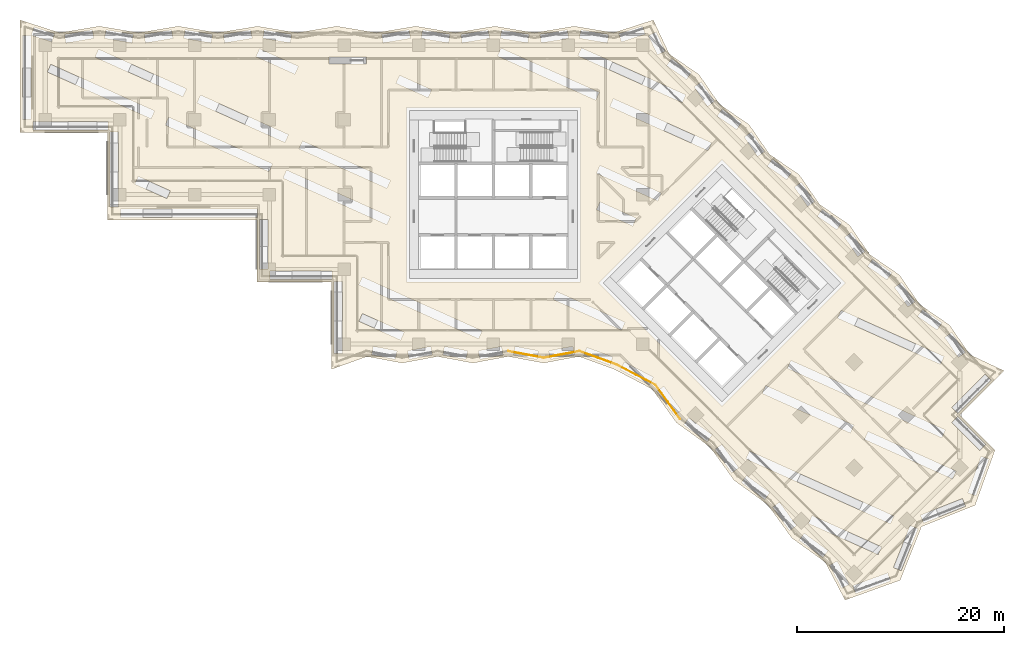
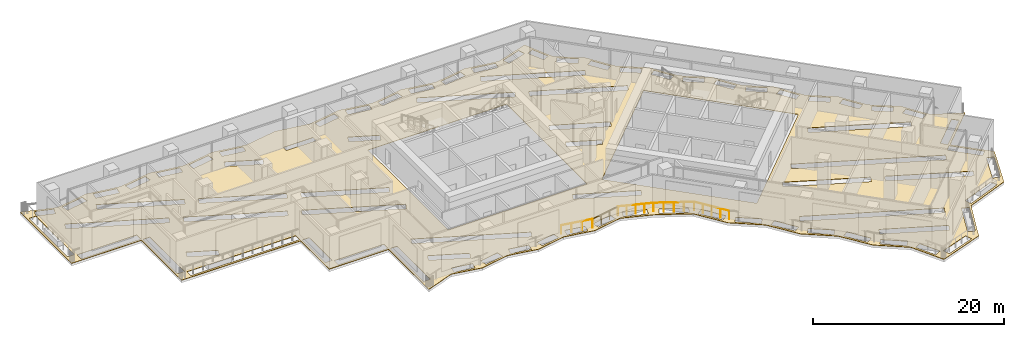
# One storey, part 19 of 24: 5 railings, 1 covering.
"""IFC4 building model written with IfcOpenShell, lengths in metres."""

from ifc_helpers import new_model, si_unit, direction, frame, origin, origin_2d, place, context, subcontext, project, spatial, polyline, circle, outline, extrude, material, layer, layer_set, type_object, element, save


model = new_model("IFC4")

# Units and contexts
model_context = context("Model", 3, precision=1e-05, world=origin(), true_north=direction((0.0, 1.0)))
body_context = subcontext(model_context, "Body", "Model", "MODEL_VIEW")
ifc_project = project(units=[si_unit("LENGTHUNIT", "METRE"), si_unit("AREAUNIT", "SQUARE_METRE"), si_unit("VOLUMEUNIT", "CUBIC_METRE"), si_unit("PLANEANGLEUNIT", "RADIAN"), si_unit("MASSUNIT", "GRAM", prefix="KILO")], contexts=[model_context])

# Site, building, storey
site_placement = place(None, origin())
site = spatial("IfcSite", under=ifc_project, at=site_placement, CompositionType="ELEMENT")
building_placement = place(site_placement, origin())
building = spatial("IfcBuilding", under=site, at=building_placement, Name="Windrow Commons", CompositionType="ELEMENT")
storey_placement = place(building_placement, frame((0.0, 0.0, 67.8)))
storey = spatial("IfcBuildingStorey", under=building, at=storey_placement, Name="L18", CompositionType="ELEMENT", Elevation=67.8)

# Railings
ifc_material_1 = material(Name="Stainless steel S316 balustrade with toughened glass infill", Category="steel")
railing_type = type_object("IfcRailingType", Name="Terrace guard 1200 podium", PredefinedType="BALUSTRADE", material=ifc_material_1)
railing_1_placement = place(storey_placement, frame((82.7932, 35.988, 0.05)))
element("IfcRailing", 1, at=railing_1_placement, inside=storey, type_object=railing_type, Name="Guard TR-L18-1.E5", PredefinedType="BALUSTRADE", context=body_context, shape_type="SweptSolid", body=[
    extrude(circle(Radius=0.025, at=origin_2d()), frame((0.0, 0.0, 1.175), z_axis=(-0.5863539347, 0.8100549755, 0.0), x_axis=(-0.8100549755, -0.5863539347, 0.0)), (0.0, 0.0, 1.0), 4.0201),
    extrude(circle(Radius=0.02, at=origin_2d()), origin(), (0.0, 0.0, 1.0), 1.15),
    extrude(circle(Radius=0.02, at=origin_2d()), frame((-0.5893, 0.8141, 0.0)), (0.0, 0.0, 1.0), 1.15),
    extrude(circle(Radius=0.02, at=origin_2d()), frame((-1.1786, 1.6283, 0.0)), (0.0, 0.0, 1.0), 1.15),
    extrude(circle(Radius=0.02, at=origin_2d()), frame((-1.7679, 2.4424, 0.0)), (0.0, 0.0, 1.0), 1.15),
    extrude(circle(Radius=0.02, at=origin_2d()), frame((-2.3572, 3.2565, 0.0)), (0.0, 0.0, 1.0), 1.15),
])
railing_2_placement = place(storey_placement, frame((80.436, 39.2445, 0.05)))
element("IfcRailing", 2, at=railing_2_placement, inside=storey, type_object=railing_type, Name="Guard TR-L18-1.E6", PredefinedType="BALUSTRADE", context=body_context, shape_type="SweptSolid", body=[
    extrude(circle(Radius=0.025, at=origin_2d()), frame((0.0, 0.0, 1.175), z_axis=(-0.8859575059, 0.4637664258, 0.0), x_axis=(-0.4637664258, -0.8859575059, 0.0)), (0.0, 0.0, 1.0), 4.2718),
    extrude(circle(Radius=0.02, at=origin_2d()), origin(), (0.0, 0.0, 1.0), 1.15),
    extrude(circle(Radius=0.02, at=origin_2d()), frame((-0.9462, 0.4953, 0.0)), (0.0, 0.0, 1.0), 1.15),
    extrude(circle(Radius=0.02, at=origin_2d()), frame((-1.8923, 0.9905, 0.0)), (0.0, 0.0, 1.0), 1.15),
    extrude(circle(Radius=0.02, at=origin_2d()), frame((-2.8385, 1.4858, 0.0)), (0.0, 0.0, 1.0), 1.15),
    extrude(circle(Radius=0.02, at=origin_2d()), frame((-3.7846, 1.9811, 0.0)), (0.0, 0.0, 1.0), 1.15),
])
railing_3_placement = place(storey_placement, frame((76.6514, 41.2256, 0.05)))
element("IfcRailing", 3, at=railing_3_placement, inside=storey, type_object=railing_type, Name="Guard TR-L18-1.E7", PredefinedType="BALUSTRADE", context=body_context, shape_type="SweptSolid", body=[
    extrude(circle(Radius=0.025, at=origin_2d()), frame((0.0, 0.0, 1.175), z_axis=(-0.9402913154, 0.3403707423, 0.0), x_axis=(-0.3403707423, -0.9402913154, 0.0)), (0.0, 0.0, 1.0), 3.7923),
    extrude(circle(Radius=0.02, at=origin_2d()), origin(), (0.0, 0.0, 1.0), 1.15),
    extrude(circle(Radius=0.02, at=origin_2d()), frame((-0.8915, 0.3227, 0.0)), (0.0, 0.0, 1.0), 1.15),
    extrude(circle(Radius=0.02, at=origin_2d()), frame((-1.7829, 0.6454, 0.0)), (0.0, 0.0, 1.0), 1.15),
    extrude(circle(Radius=0.02, at=origin_2d()), frame((-2.6744, 0.9681, 0.0)), (0.0, 0.0, 1.0), 1.15),
    extrude(circle(Radius=0.02, at=origin_2d()), frame((-3.5659, 1.2908, 0.0)), (0.0, 0.0, 1.0), 1.15),
])
railing_4_placement = place(storey_placement, frame((73.0855, 42.5164, 0.05)))
element("IfcRailing", 4, at=railing_4_placement, inside=storey, type_object=railing_type, Name="Guard TR-L18-1.E8", PredefinedType="BALUSTRADE", context=body_context, shape_type="SweptSolid", body=[
    extrude(circle(Radius=0.025, at=origin_2d()), frame((0.0, 0.0, 1.175), z_axis=(-0.9831691345, -0.1826977095, 0.0), x_axis=(0.1826977095, -0.9831691345, 0.0)), (0.0, 0.0, 1.0), 3.5074),
    extrude(circle(Radius=0.02, at=origin_2d()), origin(), (0.0, 0.0, 1.0), 1.15),
    extrude(circle(Radius=0.02, at=origin_2d()), frame((-1.1495, -0.2136, 0.0)), (0.0, 0.0, 1.0), 1.15),
    extrude(circle(Radius=0.02, at=origin_2d()), frame((-2.2989, -0.4272, 0.0)), (0.0, 0.0, 1.0), 1.15),
    extrude(circle(Radius=0.02, at=origin_2d()), frame((-3.4484, -0.6408, 0.0)), (0.0, 0.0, 1.0), 1.15),
])
railing_5_placement = place(storey_placement, frame((69.6371, 41.8756, 0.05)))
element("IfcRailing", 5, at=railing_5_placement, inside=storey, type_object=railing_type, Name="Guard TR-L18-1.E9", PredefinedType="BALUSTRADE", context=body_context, shape_type="SweptSolid", body=[
    extrude(circle(Radius=0.025, at=origin_2d()), frame((0.0, 0.0, 1.175), z_axis=(-0.9831669658, 0.1827093798, 0.0), x_axis=(-0.1827093798, -0.9831669658, 0.0)), (0.0, 0.0, 1.0), 3.4645),
    extrude(circle(Radius=0.02, at=origin_2d()), origin(), (0.0, 0.0, 1.0), 1.15),
    extrude(circle(Radius=0.02, at=origin_2d()), frame((-1.1354, 0.211, 0.0)), (0.0, 0.0, 1.0), 1.15),
    extrude(circle(Radius=0.02, at=origin_2d()), frame((-2.2708, 0.422, 0.0)), (0.0, 0.0, 1.0), 1.15),
    extrude(circle(Radius=0.02, at=origin_2d()), frame((-3.4062, 0.633, 0.0)), (0.0, 0.0, 1.0), 1.15),
])

# Covering
ifc_material_2 = material(Name="Granite paving", Category="masonry")
ifc_layer = layer(ifc_material_2, 0.05)
ifc_layer_set = layer_set([ifc_layer], Name="Terrace paving 50")
covering_type = type_object("IfcCoveringType", Name="Terrace paving 50", PredefinedType="FLOORING", material=ifc_layer_set)
covering_placement = place(storey_placement, origin())
element("IfcCovering", 6, at=covering_placement, inside=storey, type_object=covering_type, Name="Terrace paving TR-L18-1", PredefinedType="FLOORING", context=body_context, shape_type="SweptSolid", body=[
    extrude(outline(polyline([(91.2226, 27.7333), (87.9965, 30.0685), (85.6612, 33.2947), (82.4351, 35.6299), (80.0999, 38.8561), (76.4494, 40.767), (73.0432, 42.0), (69.6371, 41.367), (66.2309, 42.0), (62.8247, 41.367), (59.4185, 42.0), (56.0124, 41.367), (52.6062, 42.0), (49.2, 40.767), (49.2, 49.2), (42.0, 49.2), (42.0, 55.167), (27.6, 55.167), (27.6, 63.6), (19.167, 63.6), (19.167, 74.433), (22.9818, 73.2), (26.7966, 73.833), (30.6114, 73.2), (34.4261, 73.833), (38.2409, 73.2), (42.0557, 73.833), (45.8705, 73.2), (49.6853, 73.833), (53.5001, 73.2), (57.3149, 73.833), (61.1297, 73.2), (64.9444, 73.833), (68.7592, 73.2), (72.574, 73.833), (76.3888, 73.2), (80.2036, 74.433), (81.7486, 71.1484), (84.6089, 69.1791), (86.5783, 66.3188), (89.4385, 64.3495), (91.4079, 61.4892), (94.2681, 59.5199), (96.2375, 56.6596), (99.0978, 54.6902), (101.0671, 51.83), (103.9274, 49.8606), (105.8967, 47.0003), (108.757, 45.031), (110.7263, 42.1707), (114.0108, 40.6256), (109.747, 36.3618), (113.1411, 32.9677), (111.2266, 27.6591), (106.0595, 25.6032), (104.0036, 20.436), (98.695, 18.5216), (96.784, 22.172), (93.5578, 24.5072), (91.2226, 27.7333)]), holes=[polyline([(55.3476, 41.7346), (55.4974, 42.5408), (53.216, 42.9649), (53.0662, 42.1587), (55.3476, 41.7346)]), polyline([(52.1722, 46.1392), (51.836, 45.3912), (55.8534, 43.5856), (56.1896, 44.3336), (52.1722, 46.1392)]), polyline([(49.44, 42.2936), (50.26, 42.2936), (50.26, 49.25), (49.44, 49.25), (49.44, 42.2936)]), polyline([(43.25, 49.44), (49.25, 49.44), (49.25, 50.26), (43.25, 50.26), (43.25, 49.44)]), polyline([(42.24, 55.217), (42.24, 50.45), (43.06, 50.45), (43.06, 55.217), (42.24, 55.217)]), polyline([(42.05, 55.407), (42.05, 56.227), (28.85, 56.227), (28.85, 55.407), (42.05, 55.407)]), polyline([(44.8678, 59.9471), (44.5317, 59.1992), (54.5278, 54.7065), (54.864, 55.4544), (44.8678, 59.9471)]), polyline([(30.5722, 59.3556), (30.236, 58.6077), (33.3224, 57.2205), (33.6585, 57.9684), (30.5722, 59.3556)]), polyline([(27.84, 63.65), (27.84, 56.417), (28.66, 56.417), (28.66, 63.65), (27.84, 63.65)]), polyline([(54.864, 58.9627), (46.4032, 62.7654), (46.0671, 62.0175), (54.5278, 58.2148), (54.864, 58.9627)]), polyline([(33.5035, 65.0548), (33.1673, 64.3069), (43.1635, 59.8141), (43.4997, 60.5621), (33.5035, 65.0548)]), polyline([(27.65, 63.84), (27.65, 64.66), (20.417, 64.66), (20.417, 63.84), (27.65, 63.84)]), polyline([(36.5743, 67.183), (36.2381, 66.4351), (44.6989, 62.6324), (45.035, 63.3803), (36.5743, 67.183)]), polyline([(32.1353, 65.6697), (22.1392, 70.1625), (21.803, 69.4145), (31.7992, 64.9218), (32.1353, 65.6697)]), polyline([(58.8386, 67.7014), (55.7558, 69.087), (55.4196, 68.339), (58.5024, 66.9535), (58.8386, 67.7014)]), polyline([(19.407, 64.85), (20.227, 64.85), (20.227, 72.9398), (19.407, 72.9398), (19.407, 64.85)]), polyline([(26.7453, 71.6006), (26.4092, 70.8527), (34.8699, 67.05), (35.2061, 67.7979), (26.7453, 71.6006)]), polyline([(42.262, 71.6434), (41.9259, 70.8954), (45.6581, 69.218), (45.9943, 69.9659), (42.262, 71.6434)]), polyline([(52.5519, 70.2), (52.5519, 70.85), (48.9519, 70.85), (48.9519, 70.2), (52.5519, 70.2)]), polyline([(26.1376, 73.4804), (23.4571, 73.0356), (23.5913, 72.2266), (26.2718, 72.6714), (26.1376, 73.4804)]), polyline([(54.0249, 73.0438), (54.1591, 72.2348), (56.7901, 72.6714), (56.6559, 73.4804), (54.0249, 73.0438)]), polyline([(38.7657, 73.0438), (38.8999, 72.2348), (41.5309, 72.6714), (41.3967, 73.4804), (38.7657, 73.0438)]), polyline([(42.7147, 73.4804), (42.5805, 72.6714), (45.2115, 72.2348), (45.3457, 73.0438), (42.7147, 73.4804)]), polyline([(37.7161, 73.0438), (35.0851, 73.4804), (34.9509, 72.6714), (37.5819, 72.2348), (37.7161, 73.0438)]), polyline([(33.7671, 73.4804), (31.1362, 73.0438), (31.2704, 72.2348), (33.9013, 72.6714), (33.7671, 73.4804)]), polyline([(27.4556, 73.4804), (27.3214, 72.6714), (29.9524, 72.2348), (30.0866, 73.0438), (27.4556, 73.4804)]), polyline([(20.514, 73.7454), (20.2618, 72.9651), (22.2353, 72.3273), (22.4875, 73.1076), (20.514, 73.7454)]), polyline([(85.4003, 33.7799), (85.8811, 34.4441), (83.627, 36.0757), (83.1462, 35.4115), (85.4003, 33.7799)]), polyline([(80.5565, 38.6347), (82.2167, 36.341), (82.8809, 36.8218), (81.2207, 39.1155), (80.5565, 38.6347)]), polyline([(77.0533, 40.7217), (79.8151, 39.2761), (80.1954, 40.0026), (77.4336, 41.4482), (77.0533, 40.7217)]), polyline([(76.0082, 41.1819), (76.2873, 41.953), (73.8019, 42.8527), (73.5228, 42.0816), (76.0082, 41.1819)]), polyline([(58.9035, 42.1484), (58.7537, 42.9546), (56.5274, 42.5408), (56.6772, 41.7346), (58.9035, 42.1484)]), polyline([(62.1599, 41.7346), (62.3097, 42.5408), (60.0833, 42.9546), (59.9335, 42.1484), (62.1599, 41.7346)]), polyline([(63.4895, 41.7346), (65.7159, 42.1484), (65.5661, 42.9546), (63.3397, 42.5408), (63.4895, 41.7346)]), polyline([(66.7459, 42.1484), (68.9723, 41.7346), (69.1221, 42.5408), (66.8957, 42.9546), (66.7459, 42.1484)]), polyline([(72.5832, 42.1587), (72.4334, 42.9649), (70.1521, 42.5408), (70.3019, 41.7346), (72.5832, 42.1587)]), polyline([(70.9012, 48.2465), (70.565, 47.4986), (77.1445, 44.5415), (77.4806, 45.2894), (70.9012, 48.2465)]), polyline([(52.1722, 49.6475), (51.836, 48.8996), (63.3687, 43.7163), (63.7049, 44.4642), (52.1722, 49.6475)]), polyline([(86.8368, 37.2103), (98.7161, 49.0897), (86.8368, 60.9691), (74.9574, 49.0897), (86.8368, 37.2103)]), polyline([(78.5579, 55.3302), (75.0722, 56.8969), (74.736, 56.149), (78.2218, 54.5823), (78.5579, 55.3302)]), polyline([(73.2, 66.0), (56.4, 66.0), (56.4, 49.2), (73.2, 49.2), (73.2, 66.0)]), polyline([(75.0722, 60.4053), (74.736, 59.6573), (80.6423, 57.0028), (80.9784, 57.7507), (75.0722, 60.4053)]), polyline([(76.3623, 66.8421), (76.0262, 66.0942), (85.4832, 61.8437), (85.8194, 62.5917), (76.3623, 66.8421)]), polyline([(86.1083, 66.5781), (84.8195, 68.45), (84.1441, 67.985), (85.4329, 66.1131), (86.1083, 66.5781)]), polyline([(83.3414, 67.2138), (73.2955, 71.7288), (72.9593, 70.9809), (83.0052, 66.4658), (83.3414, 67.2138)]), polyline([(65.5371, 71.7075), (65.201, 70.9595), (74.658, 66.7091), (74.9942, 67.457), (65.5371, 71.7075)]), polyline([(81.9619, 70.7101), (81.4969, 70.0347), (83.4148, 68.7143), (83.8798, 69.3897), (81.9619, 70.7101)]), polyline([(80.4854, 73.2701), (79.7434, 72.9211), (80.6088, 71.0811), (81.3508, 71.4301), (80.4854, 73.2701)]), polyline([(75.9135, 73.0356), (73.233, 73.4804), (73.0988, 72.6714), (75.7793, 72.2266), (75.9135, 73.0356)]), polyline([(71.915, 73.4804), (69.284, 73.0438), (69.4182, 72.2348), (72.0492, 72.6714), (71.915, 73.4804)]), polyline([(65.6034, 73.4804), (65.4692, 72.6714), (68.1002, 72.2348), (68.2344, 73.0438), (65.6034, 73.4804)]), polyline([(61.6545, 73.0438), (61.7887, 72.2348), (64.4196, 72.6714), (64.2854, 73.4804), (61.6545, 73.0438)]), polyline([(57.9739, 73.4804), (57.8397, 72.6714), (60.4707, 72.2348), (60.6049, 73.0438), (57.9739, 73.4804)]), polyline([(79.162, 73.8441), (76.8831, 73.1076), (77.1353, 72.3273), (79.4142, 73.0638), (79.162, 73.8441)]), polyline([(99.7114, 19.1433), (103.0825, 20.359), (102.8043, 21.1303), (99.4332, 19.9146), (99.7114, 19.1433)]), polyline([(98.3664, 19.6668), (99.0929, 20.0471), (97.9305, 22.2675), (97.204, 21.8872), (98.3664, 19.6668)]), polyline([(105.7182, 25.3945), (104.9563, 25.6977), (103.3487, 21.6573), (104.1106, 21.3541), (105.7182, 25.3945)]), polyline([(96.5626, 22.6286), (97.0434, 23.2928), (94.7497, 24.953), (94.2689, 24.2888), (96.5626, 22.6286)]), polyline([(102.213, 23.6485), (95.5191, 26.657), (95.1829, 25.9091), (101.8768, 22.9005), (102.213, 23.6485)]), polyline([(91.7078, 27.4724), (93.3394, 25.2183), (94.0036, 25.6991), (92.372, 27.9532), (91.7078, 27.4724)]), polyline([(110.3085, 27.5521), (110.0053, 28.314), (105.965, 26.7064), (106.2682, 25.9445), (110.3085, 27.5521)]), polyline([(90.9617, 28.2185), (91.4425, 28.8827), (89.1884, 30.5143), (88.7076, 29.8501), (90.9617, 28.2185)]), polyline([(89.4786, 32.8802), (89.1425, 32.1323), (103.061, 25.8767), (103.3971, 26.6246), (89.4786, 32.8802)]), polyline([(111.3036, 28.5802), (112.5717, 32.0964), (111.8004, 32.3746), (110.5323, 28.8584), (111.3036, 28.5802)]), polyline([(86.1464, 33.0338), (87.7781, 30.7796), (88.4423, 31.2604), (86.8106, 33.5146), (86.1464, 33.0338)]), polyline([(100.9056, 34.7611), (100.5694, 34.0132), (109.0601, 30.1971), (109.3962, 30.945), (100.9056, 34.7611)]), polyline([(109.542, 36.2274), (108.9621, 35.6476), (111.6754, 32.9343), (112.2553, 33.5141), (109.542, 36.2274)]), polyline([(91.0467, 39.1922), (90.7106, 38.4442), (99.2012, 34.6281), (99.5374, 35.376), (91.0467, 39.1922)]), polyline([(108.3545, 34.9215), (93.4672, 41.6126), (93.131, 40.8647), (108.0184, 34.1736), (108.3545, 34.9215)]), polyline([(109.542, 36.4962), (112.7628, 39.717), (112.1829, 40.2968), (108.9621, 37.076), (109.542, 36.4962)]), polyline([(108.9676, 44.3019), (108.2922, 43.8369), (109.6126, 41.919), (110.288, 42.384), (108.9676, 44.3019)]), polyline([(98.3081, 46.4536), (97.972, 45.7056), (107.8896, 41.2482), (108.2258, 41.9961), (98.3081, 46.4536)]), polyline([(106.156, 46.5303), (105.691, 45.8549), (107.5629, 44.5662), (108.0279, 45.2416), (106.156, 46.5303)]), polyline([(105.4267, 47.2596), (104.138, 49.1315), (103.4626, 48.6665), (104.7513, 46.7946), (105.4267, 47.2596)]), polyline([(103.1983, 50.0712), (101.3264, 51.36), (100.8614, 50.6846), (102.7333, 49.3958), (103.1983, 50.0712)]), polyline([(99.3084, 53.9611), (98.633, 53.4961), (99.9217, 51.6243), (100.5971, 52.0893), (99.3084, 53.9611)]), polyline([(98.3687, 54.9008), (96.4968, 56.1896), (96.0318, 55.5142), (97.9037, 54.2254), (98.3687, 54.9008)]), polyline([(95.7675, 56.9189), (94.4787, 58.7908), (93.8033, 58.3258), (95.0921, 56.4539), (95.7675, 56.9189)]), polyline([(91.6672, 61.0192), (91.2022, 60.3438), (93.074, 59.0551), (93.539, 59.7305), (91.6672, 61.0192)]), polyline([(90.9379, 61.7485), (89.6491, 63.6204), (88.9737, 63.1554), (90.2625, 61.2835), (90.9379, 61.7485)]), polyline([(88.7094, 64.5601), (86.8376, 65.8488), (86.3726, 65.1734), (88.2444, 63.8847), (88.7094, 64.5601)])]), origin(), (0.0, 0.0, 1.0), 0.05),
])

save(model, "model.ifc")
